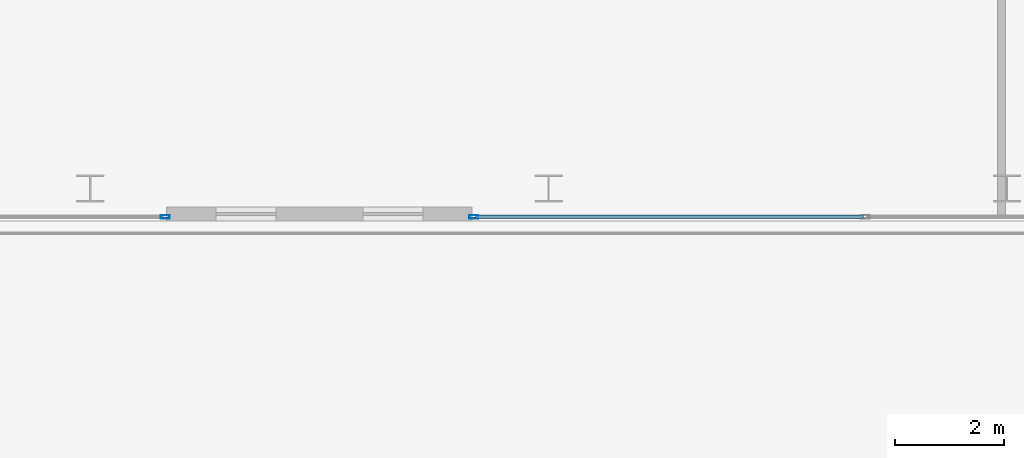
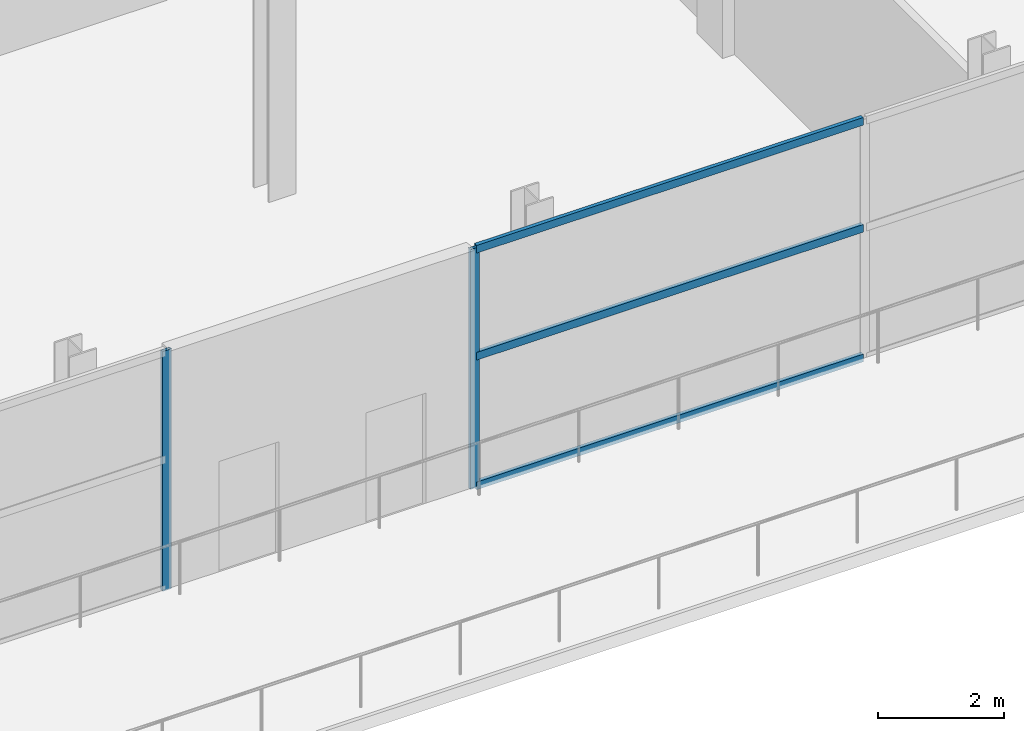
# One storey, part 4 of 28: 5 members, 2 elements without a shape of their own.
"""IFC4 building model written with IfcOpenShell, lengths in metres."""

from ifc_helpers import new_model, si_unit, direction, frame, origin, origin_2d, place, context, subcontext, project, spatial, hollow_rectangle, extrude, material, layer, layer_set, material_profile, profile_set, type_object, element, aggregate, save


model = new_model("IFC4")

# Units and contexts
model_context = context("Model", 3, precision=1e-05, world=origin(), true_north=direction((0.0, 1.0)))
body_context = subcontext(model_context, "Body", "Model", "MODEL_VIEW")
ifc_project = project(units=[si_unit("LENGTHUNIT", "METRE"), si_unit("AREAUNIT", "SQUARE_METRE"), si_unit("VOLUMEUNIT", "CUBIC_METRE"), si_unit("PLANEANGLEUNIT", "RADIAN"), si_unit("MASSUNIT", "GRAM", prefix="KILO")], contexts=[model_context])

# Site, building, storey
site_placement = place(None, origin())
site = spatial("IfcSite", under=ifc_project, at=site_placement, CompositionType="ELEMENT")
building_placement = place(site_placement, origin())
building = spatial("IfcBuilding", under=site, at=building_placement, Name="Maruvema Waterfront Hotel and Observation Tower", CompositionType="ELEMENT")
storey_placement = place(building_placement, frame((0.0, 0.0, 234.5)))
storey = spatial("IfcBuildingStorey", under=building, at=storey_placement, Name="L57", CompositionType="ELEMENT", Elevation=234.5)

# Curtain wall, members
ifc_material_1 = material(Name="Anodised bronze aluminium and solar-control low-E IGU", Category="aluminium")
ifc_layer = layer(ifc_material_1, 0.159912109375, Name="Zone 3 Champagne Inner Thermal Curtain Wall System CW-04")
ifc_layer_set = layer_set([ifc_layer], Name="Anodised bronze aluminium and solar-control low-E IGU")
curtain_wall_type = type_object("IfcCurtainWallType", Name="Zone 3 Champagne Inner Thermal Curtain Wall System CW-04", PredefinedType="USERDEFINED", material=ifc_layer_set)
curtain_wall_1_placement = place(storey_placement, origin())
curtain_wall_1 = element("IfcCurtainWall", 1, at=curtain_wall_1_placement, inside=storey, type_object=curtain_wall_type, Name="L57 Curtain Wall CW-L57-SE", ObjectType="UNITISED CURTAIN WALL", PredefinedType="USERDEFINED")
ifc_material_2 = material(Name="Anodised architectural bronze aluminium", Category="aluminium")
ifc_material_profile_1 = material_profile(ifc_material_2, hollow_rectangle(XDim=0.070068359375, YDim=0.14990234375, WallThickness=0.00390625, at=origin_2d()), Name="ALU-T70x150")
ifc_profile_set_1 = profile_set([ifc_material_profile_1], Name="Anodised architectural bronze aluminium")
member_type_1 = type_object("IfcMemberType", Name="Curtain Wall Horizontal Transom ALU-T70x150", PredefinedType="USERDEFINED", material=ifc_profile_set_1)
member_1_placement = place(storey_placement, frame((40.659912109375, 9.280029296875, 0.030029296875), z_axis=(1.0, 0.0, 0.0), x_axis=(0.0, 1.0, 0.0)))
member_1 = element("IfcMember", 2, at=member_1_placement, type_object=member_type_1, Name="CW-04 transom 1.1", ObjectType="TRANSOM", PredefinedType="USERDEFINED", context=body_context, shape_type="SweptSolid", body=[
    extrude(hollow_rectangle(XDim=0.070068359375, YDim=0.14990234375, WallThickness=0.00390625, at=origin_2d()), origin(), (0.0, 0.0, 1.0), 7.110107421875),
])
member_2_placement = place(storey_placement, frame((40.659912109375, 9.280029296875, 2.550048828125), z_axis=(1.0, 0.0, 0.0), x_axis=(0.0, 1.0, 0.0)))
member_2 = element("IfcMember", 3, at=member_2_placement, type_object=member_type_1, Name="CW-04 transom 1.2", ObjectType="TRANSOM", PredefinedType="USERDEFINED", context=body_context, shape_type="SweptSolid", body=[
    extrude(hollow_rectangle(XDim=0.070068359375, YDim=0.14990234375, WallThickness=0.00390625, at=origin_2d()), origin(), (0.0, 0.0, 1.0), 7.110107421875),
])
member_3_placement = place(storey_placement, frame((40.659912109375, 9.280029296875, 4.6298828125), z_axis=(1.0, 0.0, 0.0), x_axis=(0.0, 1.0, 0.0)))
member_3 = element("IfcMember", 4, at=member_3_placement, type_object=member_type_1, Name="CW-04 transom 1.3", ObjectType="TRANSOM", PredefinedType="USERDEFINED", context=body_context, shape_type="SweptSolid", body=[
    extrude(hollow_rectangle(XDim=0.070068359375, YDim=0.14990234375, WallThickness=0.00390625, at=origin_2d()), origin(), (0.0, 0.0, 1.0), 7.110107421875),
])

# Curtain wall, member
curtain_wall_2_placement = place(storey_placement, origin())
curtain_wall_2 = element("IfcCurtainWall", 5, at=curtain_wall_2_placement, inside=storey, type_object=curtain_wall_type, Name="L57 Curtain Wall CW-L57-SW", ObjectType="UNITISED CURTAIN WALL", PredefinedType="USERDEFINED")
ifc_material_3 = material(Name="Anodised architectural bronze aluminium", Category="aluminium")
ifc_material_profile_2 = material_profile(ifc_material_3, hollow_rectangle(XDim=0.06494140625, YDim=0.1650390625, WallThickness=0.00390625, at=origin_2d()), Name="ALU-M65x165")
ifc_profile_set_2 = profile_set([ifc_material_profile_2], Name="Anodised architectural bronze aluminium")
member_type_2 = type_object("IfcMemberType", Name="Curtain Wall Primary Mullion ALU-M65x165", PredefinedType="MULLION", material=ifc_profile_set_2)
member_4_placement = place(storey_placement, frame((34.969970703125, 9.280029296875, 0.0), z_axis=(0.0, 0.0, 1.0), x_axis=(0.0, 1.0, 0.0)))
member_4 = element("IfcMember", 6, at=member_4_placement, type_object=member_type_2, Name="CW-04 mullion 3", PredefinedType="MULLION", context=body_context, shape_type="SweptSolid", body=[
    extrude(hollow_rectangle(XDim=0.06494140625, YDim=0.1650390625, WallThickness=0.00390625, at=origin_2d()), origin(), (0.0, 0.0, 1.0), 4.659912109375),
])
aggregate(curtain_wall_2, [member_4])

# Member
member_5_placement = place(storey_placement, frame((40.6298828125, 9.280029296875, 0.0), z_axis=(0.0, 0.0, 1.0), x_axis=(0.0, 1.0, 0.0)))
member_5 = element("IfcMember", 7, at=member_5_placement, type_object=member_type_2, Name="CW-04 mullion 1", PredefinedType="MULLION", context=body_context, shape_type="SweptSolid", body=[
    extrude(hollow_rectangle(XDim=0.06494140625, YDim=0.1650390625, WallThickness=0.00390625, at=origin_2d()), origin(), (0.0, 0.0, 1.0), 4.659912109375),
])

aggregate(curtain_wall_1, [member_5, member_1, member_2, member_3])

save(model, "model.ifc")
